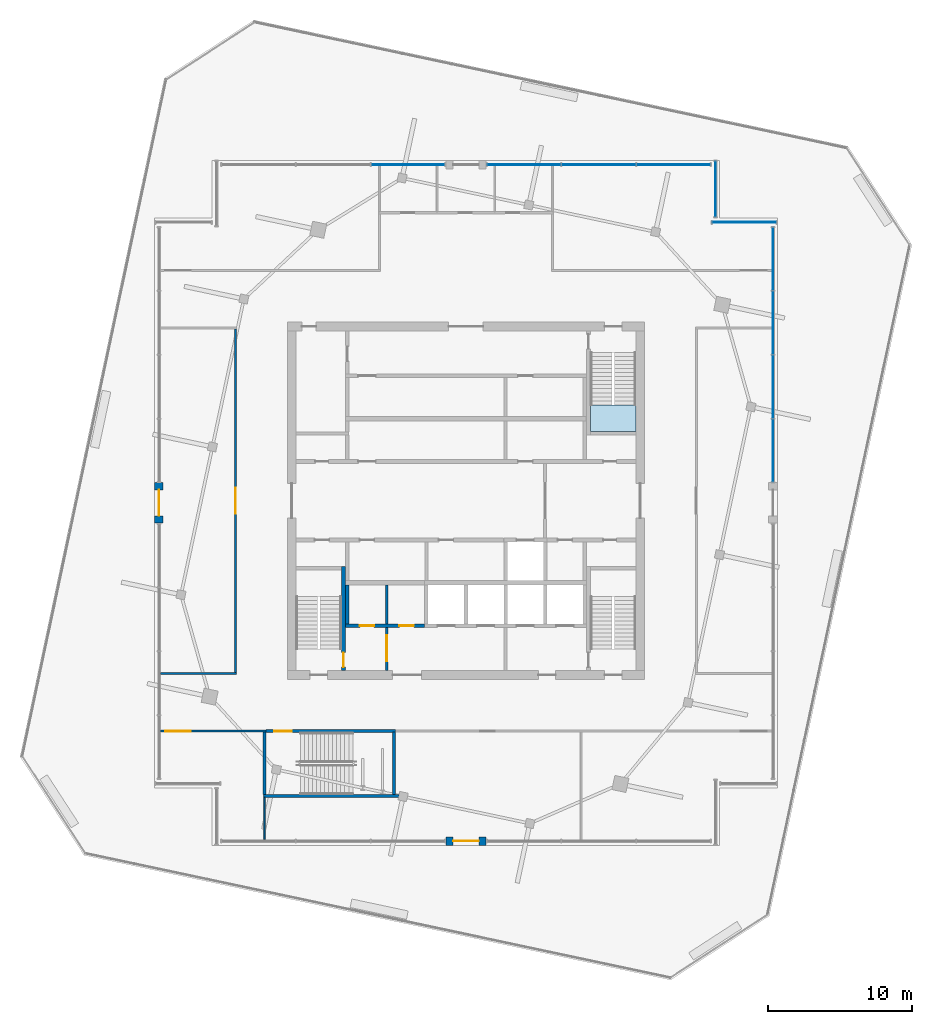
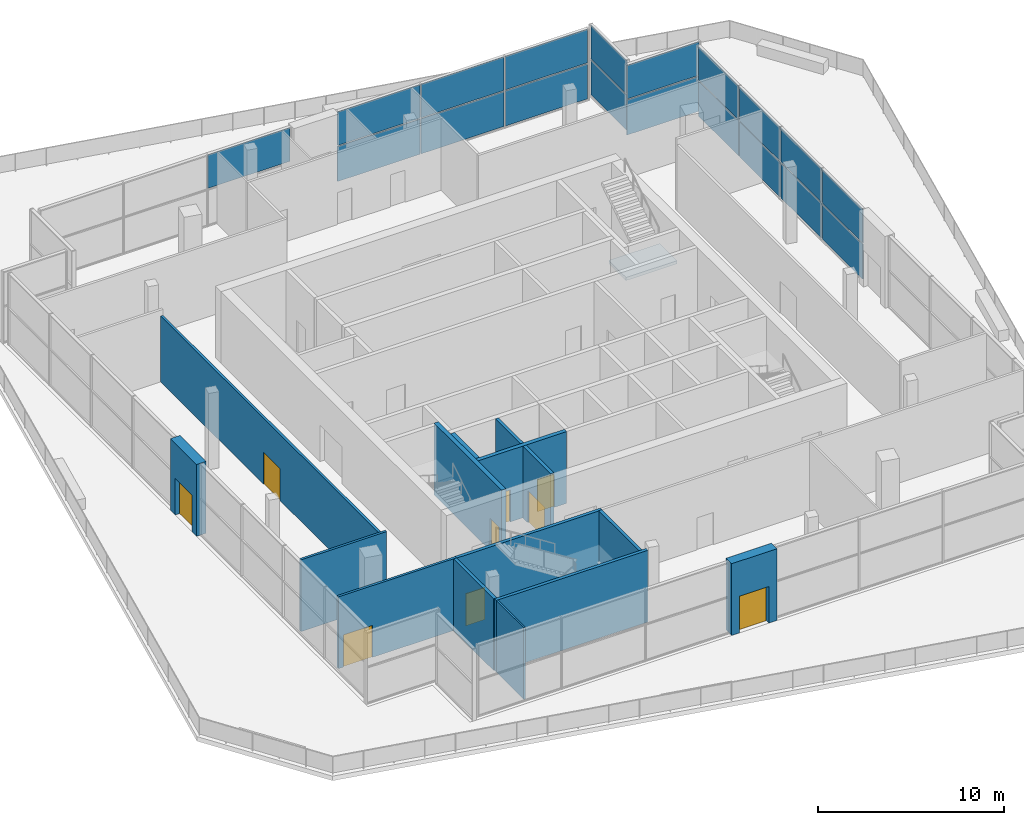
# One storey, part 7 of 14: 19 plates, 15 walls, 9 doors, 1 slab, 9 openings, 6 elements without a shape of their own.
"""IFC4 building model written with IfcOpenShell, lengths in metres."""

from ifc_helpers import new_model, si_unit, direction, frame, frame_2d, origin, origin_2d, place, context, subcontext, project, spatial, polyline, rectangle, outline, extrude, material, layer, layer_set, type_object, element, fill, aggregate, save


model = new_model("IFC4")

# Units and contexts
model_context = context("Model", 3, precision=1e-05, world=origin(), true_north=direction((0.0, 1.0)))
body_context = subcontext(model_context, "Body", "Model", "MODEL_VIEW")
ifc_project = project(units=[si_unit("LENGTHUNIT", "METRE"), si_unit("AREAUNIT", "SQUARE_METRE"), si_unit("VOLUMEUNIT", "CUBIC_METRE"), si_unit("PLANEANGLEUNIT", "RADIAN"), si_unit("MASSUNIT", "GRAM", prefix="KILO")], contexts=[model_context])

# Site, building, storey
site_placement = place(None, origin())
site = spatial("IfcSite", under=ifc_project, at=site_placement, CompositionType="ELEMENT")
building_placement = place(site_placement, origin())
building = spatial("IfcBuilding", under=site, at=building_placement, Name="Dilmun Exchange Tower", CompositionType="ELEMENT")
storey_placement = place(building_placement, frame((0.0, 0.0, 368.10009765625)))
storey = spatial("IfcBuildingStorey", under=building, at=storey_placement, Name="Crown L86", CompositionType="ELEMENT", Elevation=368.10009765625)

# Stair, slab
ifc_material_1 = material(Name="Concrete C40/50", Category="concrete")
stair_type = type_object("IfcStairType", Name="Exit stair 1500 half-turn", PredefinedType="HALF_TURN_STAIR", material=ifc_material_1)
stair_placement = place(storey_placement, origin())
stair = element("IfcStair", 1, at=stair_placement, inside=storey, type_object=stair_type, Name="Crown L86 Protected exit stair ST1", PredefinedType="HALF_TURN_STAIR")
ifc_layer_1 = layer(ifc_material_1, 0.199951171875)
ifc_layer_set_1 = layer_set([ifc_layer_1], Name="Concrete C40/50")
slab_type = type_object("IfcSlabType", Name="Exit stair landing 200", PredefinedType="LANDING", material=ifc_layer_set_1)
slab_placement = place(storey_placement, frame((0.0, 0.0, 2.2998046875)))
slab = element("IfcSlab", 2, at=slab_placement, type_object=slab_type, Name="ST1 landing 1", PredefinedType="LANDING", context=body_context, shape_type="SweptSolid", body=[
    extrude(outline(polyline([(8.64990234375, 6.659912109375), (8.64990234375, 4.800048828125), (11.800048828125, 4.800048828125), (11.800048828125, 6.659912109375), (8.64990234375, 6.659912109375)])), origin(), (0.0, 0.0, 1.0), 0.2001953125),
])
aggregate(stair, [slab])

# Curtain wall, plates
ifc_material_2 = material(Name="Anodised aluminium and clear glass", Category="aluminium")
curtain_wall_type = type_object("IfcCurtainWallType", Name="Observation lounge glazing", PredefinedType="NOTDEFINED", material=ifc_material_2)
curtain_wall_1_placement = place(storey_placement, origin())
curtain_wall_1 = element("IfcCurtainWall", 3, at=curtain_wall_1_placement, inside=storey, type_object=curtain_wall_type, Name="Observation lounge glazing run OL1", PredefinedType="NOTDEFINED")
ifc_material_3 = material(Name="Clear glass", Category="glass")
ifc_layer_2 = layer(ifc_material_3, 0.0439453125)
ifc_layer_set_2 = layer_set([ifc_layer_2], Name="Clear glass")
plate_type = type_object("IfcPlateType", Name="Observation lounge glazing glass panel 44", PredefinedType="CURTAIN_PANEL", material=ifc_layer_set_2)
plate_1_placement = place(storey_placement, frame((19.323486328125, 19.340087890625, 0.06982421875), z_axis=(0.0, 0.0, 1.0), x_axis=(-1.0, 0.0, 0.0)))
plate_1 = element("IfcPlate", 4, at=plate_1_placement, type_object=plate_type, Name="OL1 panel 1.1", PredefinedType="CURTAIN_PANEL", context=body_context, shape_type="SweptSolid", body=[
    extrude(rectangle(XDim=4.4599609375, YDim=0.0439453125, at=origin_2d()), origin(), (0.0, 0.0, 1.0), 2.294921875),
])
plate_2_placement = place(storey_placement, frame((19.323486328125, 19.340087890625, 2.43505859375), z_axis=(0.0, 0.0, 1.0), x_axis=(-1.0, 0.0, 0.0)))
plate_2 = element("IfcPlate", 5, at=plate_2_placement, type_object=plate_type, Name="OL1 panel 1.2", PredefinedType="CURTAIN_PANEL", context=body_context, shape_type="SweptSolid", body=[
    extrude(rectangle(XDim=4.4599609375, YDim=0.0439453125, at=origin_2d()), origin(), (0.0, 0.0, 1.0), 2.195068359375),
])
aggregate(curtain_wall_1, [plate_1, plate_2])

curtain_wall_2_placement = place(storey_placement, origin())
curtain_wall_2 = element("IfcCurtainWall", 6, at=curtain_wall_2_placement, inside=storey, type_object=curtain_wall_type, Name="Observation lounge glazing run OL2", PredefinedType="NOTDEFINED")
plate_3_placement = place(storey_placement, frame((17.323486328125, 21.64013671875, 0.06982421875), z_axis=(0.0, 0.0, 1.0), x_axis=(0.0, 1.0, 0.0)))
plate_3 = element("IfcPlate", 7, at=plate_3_placement, type_object=plate_type, Name="OL2 panel 1.1", PredefinedType="CURTAIN_PANEL", context=body_context, shape_type="SweptSolid", body=[
    extrude(rectangle(XDim=3.860107421875, YDim=0.0439453125, at=origin_2d()), origin(), (0.0, 0.0, 1.0), 2.294921875),
])
plate_4_placement = place(storey_placement, frame((17.323486328125, 21.64013671875, 2.43505859375), z_axis=(0.0, 0.0, 1.0), x_axis=(0.0, 1.0, 0.0)))
plate_4 = element("IfcPlate", 8, at=plate_4_placement, type_object=plate_type, Name="OL2 panel 1.2", PredefinedType="CURTAIN_PANEL", context=body_context, shape_type="SweptSolid", body=[
    extrude(rectangle(XDim=3.860107421875, YDim=0.0439453125, at=origin_2d()), origin(), (0.0, 0.0, 1.0), 2.195068359375),
])
aggregate(curtain_wall_2, [plate_3, plate_4])

curtain_wall_3_placement = place(storey_placement, origin())
curtain_wall_3 = element("IfcCurtainWall", 9, at=curtain_wall_3_placement, inside=storey, type_object=curtain_wall_type, Name="Observation lounge glazing run OL3.1", PredefinedType="NOTDEFINED")
plate_5_placement = place(storey_placement, frame((14.402099609375, 23.340087890625, 0.06982421875), z_axis=(0.0, 0.0, 1.0), x_axis=(-1.0, 0.0, 0.0)))
plate_5 = element("IfcPlate", 10, at=plate_5_placement, type_object=plate_type, Name="OL3.1 panel 1.1", PredefinedType="CURTAIN_PANEL", context=body_context, shape_type="SweptSolid", body=[
    extrude(rectangle(XDim=5.102783203125, YDim=0.0439453125, at=origin_2d()), origin(), (0.0, 0.0, 1.0), 2.294921875),
])
plate_6_placement = place(storey_placement, frame((14.402099609375, 23.340087890625, 2.43505859375), z_axis=(0.0, 0.0, 1.0), x_axis=(-1.0, 0.0, 0.0)))
plate_6 = element("IfcPlate", 11, at=plate_6_placement, type_object=plate_type, Name="OL3.1 panel 1.2", PredefinedType="CURTAIN_PANEL", context=body_context, shape_type="SweptSolid", body=[
    extrude(rectangle(XDim=5.102783203125, YDim=0.0439453125, at=origin_2d()), origin(), (0.0, 0.0, 1.0), 2.195068359375),
])
plate_7_placement = place(storey_placement, frame((9.211669921875, 23.340087890625, 0.06982421875), z_axis=(0.0, 0.0, 1.0), x_axis=(-1.0, 0.0, 0.0)))
plate_7 = element("IfcPlate", 12, at=plate_7_placement, type_object=plate_type, Name="OL3.1 panel 2.1", PredefinedType="CURTAIN_PANEL", context=body_context, shape_type="SweptSolid", body=[
    extrude(rectangle(XDim=5.137939453125, YDim=0.0439453125, at=origin_2d()), origin(), (0.0, 0.0, 1.0), 2.294921875),
])
plate_8_placement = place(storey_placement, frame((9.211669921875, 23.340087890625, 2.43505859375), z_axis=(0.0, 0.0, 1.0), x_axis=(-1.0, 0.0, 0.0)))
plate_8 = element("IfcPlate", 13, at=plate_8_placement, type_object=plate_type, Name="OL3.1 panel 2.2", PredefinedType="CURTAIN_PANEL", context=body_context, shape_type="SweptSolid", body=[
    extrude(rectangle(XDim=5.137939453125, YDim=0.0439453125, at=origin_2d()), origin(), (0.0, 0.0, 1.0), 2.195068359375),
])
plate_9_placement = place(storey_placement, frame((4.021484375, 23.340087890625, 0.06982421875), z_axis=(0.0, 0.0, 1.0), x_axis=(-1.0, 0.0, 0.0)))
plate_9 = element("IfcPlate", 14, at=plate_9_placement, type_object=plate_type, Name="OL3.1 panel 3.1", PredefinedType="CURTAIN_PANEL", context=body_context, shape_type="SweptSolid", body=[
    extrude(rectangle(XDim=5.102783203125, YDim=0.0439453125, at=origin_2d()), origin(), (0.0, 0.0, 1.0), 2.294921875),
])
plate_10_placement = place(storey_placement, frame((4.021484375, 23.340087890625, 2.43505859375), z_axis=(0.0, 0.0, 1.0), x_axis=(-1.0, 0.0, 0.0)))
plate_10 = element("IfcPlate", 15, at=plate_10_placement, type_object=plate_type, Name="OL3.1 panel 3.2", PredefinedType="CURTAIN_PANEL", context=body_context, shape_type="SweptSolid", body=[
    extrude(rectangle(XDim=5.102783203125, YDim=0.0439453125, at=origin_2d()), origin(), (0.0, 0.0, 1.0), 2.195068359375),
])
aggregate(curtain_wall_3, [plate_5, plate_6, plate_7, plate_8, plate_9, plate_10])

# Curtain wall, plate
curtain_wall_4_placement = place(storey_placement, origin())
curtain_wall_4 = element("IfcCurtainWall", 16, at=curtain_wall_4_placement, inside=storey, type_object=curtain_wall_type, Name="Observation lounge glazing run OL3.E", PredefinedType="NOTDEFINED")
plate_11_placement = place(storey_placement, frame((-4.021484375, 23.340087890625, 2.43505859375), z_axis=(0.0, 0.0, 1.0), x_axis=(-1.0, 0.0, 0.0)))
plate_11 = element("IfcPlate", 17, at=plate_11_placement, type_object=plate_type, Name="OL3.E panel 1.2", PredefinedType="CURTAIN_PANEL", context=body_context, shape_type="SweptSolid", body=[
    extrude(rectangle(XDim=5.102783203125, YDim=0.0439453125, at=origin_2d()), origin(), (0.0, 0.0, 1.0), 2.195068359375),
])
aggregate(curtain_wall_4, [plate_11])

# Curtain wall, plates
curtain_wall_5_placement = place(storey_placement, origin())
curtain_wall_5 = element("IfcCurtainWall", 18, at=curtain_wall_5_placement, inside=storey, type_object=curtain_wall_type, Name="Observation lounge glazing run OL12.E", PredefinedType="NOTDEFINED")
plate_12_placement = place(storey_placement, frame((21.323486328125, 3.493896484375, 0.06982421875), z_axis=(0.0, 0.0, 1.0), x_axis=(0.0, 1.0, 0.0)))
plate_12 = element("IfcPlate", 19, at=plate_12_placement, type_object=plate_type, Name="OL12.E panel 1.1", PredefinedType="CURTAIN_PANEL", context=body_context, shape_type="SweptSolid", body=[
    extrude(rectangle(XDim=4.341796875, YDim=0.0439453125, at=origin_2d()), origin(), (0.0, 0.0, 1.0), 2.294921875),
])
plate_13_placement = place(storey_placement, frame((21.323486328125, 3.493896484375, 2.43505859375), z_axis=(0.0, 0.0, 1.0), x_axis=(0.0, 1.0, 0.0)))
plate_13 = element("IfcPlate", 20, at=plate_13_placement, type_object=plate_type, Name="OL12.E panel 1.2", PredefinedType="CURTAIN_PANEL", context=body_context, shape_type="SweptSolid", body=[
    extrude(rectangle(XDim=4.341796875, YDim=0.0439453125, at=origin_2d()), origin(), (0.0, 0.0, 1.0), 2.195068359375),
])
plate_14_placement = place(storey_placement, frame((21.323486328125, 7.923095703125, 0.06982421875), z_axis=(0.0, 0.0, 1.0), x_axis=(0.0, 1.0, 0.0)))
plate_14 = element("IfcPlate", 21, at=plate_14_placement, type_object=plate_type, Name="OL12.E panel 2.1", PredefinedType="CURTAIN_PANEL", context=body_context, shape_type="SweptSolid", body=[
    extrude(rectangle(XDim=4.376708984375, YDim=0.0439453125, at=origin_2d()), origin(), (0.0, 0.0, 1.0), 2.294921875),
])
plate_15_placement = place(storey_placement, frame((21.323486328125, 7.923095703125, 2.43505859375), z_axis=(0.0, 0.0, 1.0), x_axis=(0.0, 1.0, 0.0)))
plate_15 = element("IfcPlate", 22, at=plate_15_placement, type_object=plate_type, Name="OL12.E panel 2.2", PredefinedType="CURTAIN_PANEL", context=body_context, shape_type="SweptSolid", body=[
    extrude(rectangle(XDim=4.376708984375, YDim=0.0439453125, at=origin_2d()), origin(), (0.0, 0.0, 1.0), 2.195068359375),
])
plate_16_placement = place(storey_placement, frame((21.323486328125, 12.3701171875, 0.06982421875), z_axis=(0.0, 0.0, 1.0), x_axis=(0.0, 1.0, 0.0)))
plate_16 = element("IfcPlate", 23, at=plate_16_placement, type_object=plate_type, Name="OL12.E panel 3.1", PredefinedType="CURTAIN_PANEL", context=body_context, shape_type="SweptSolid", body=[
    extrude(rectangle(XDim=4.376708984375, YDim=0.0439453125, at=origin_2d()), origin(), (0.0, 0.0, 1.0), 2.294921875),
])
plate_17_placement = place(storey_placement, frame((21.323486328125, 12.3701171875, 2.43505859375), z_axis=(0.0, 0.0, 1.0), x_axis=(0.0, 1.0, 0.0)))
plate_17 = element("IfcPlate", 24, at=plate_17_placement, type_object=plate_type, Name="OL12.E panel 3.2", PredefinedType="CURTAIN_PANEL", context=body_context, shape_type="SweptSolid", body=[
    extrude(rectangle(XDim=4.376708984375, YDim=0.0439453125, at=origin_2d()), origin(), (0.0, 0.0, 1.0), 2.195068359375),
])
plate_18_placement = place(storey_placement, frame((21.323486328125, 16.79931640625, 0.06982421875), z_axis=(0.0, 0.0, 1.0), x_axis=(0.0, 1.0, 0.0)))
plate_18 = element("IfcPlate", 25, at=plate_18_placement, type_object=plate_type, Name="OL12.E panel 4.1", PredefinedType="CURTAIN_PANEL", context=body_context, shape_type="SweptSolid", body=[
    extrude(rectangle(XDim=4.341796875, YDim=0.0439453125, at=origin_2d()), origin(), (0.0, 0.0, 1.0), 2.294921875),
])
plate_19_placement = place(storey_placement, frame((21.323486328125, 16.79931640625, 2.43505859375), z_axis=(0.0, 0.0, 1.0), x_axis=(0.0, 1.0, 0.0)))
plate_19 = element("IfcPlate", 26, at=plate_19_placement, type_object=plate_type, Name="OL12.E panel 4.2", PredefinedType="CURTAIN_PANEL", context=body_context, shape_type="SweptSolid", body=[
    extrude(rectangle(XDim=4.341796875, YDim=0.0439453125, at=origin_2d()), origin(), (0.0, 0.0, 1.0), 2.195068359375),
])
aggregate(curtain_wall_5, [plate_12, plate_13, plate_14, plate_15, plate_16, plate_17, plate_18, plate_19])

# Wall, opening, door
ifc_layer_3 = layer(ifc_material_1, 0.199951171875)
ifc_layer_set_3 = layer_set([ifc_layer_3], Name="Concrete C40/50")
wall_type_1 = type_object("IfcWallType", Name="Core partition wall 200", PredefinedType="PARTITIONING", material=ifc_layer_set_3)
wall_1_placement = place(storey_placement, frame((-5.5, -11.794921875, 0.0), z_axis=(0.0, 0.0, 1.0), x_axis=(0.0, 1.0, 0.0)))
wall_1 = element("IfcWall", 27, at=wall_1_placement, inside=storey, type_object=wall_type_1, Name="Crown L86 core partition wall 01", PredefinedType="PARTITIONING", context=body_context, shape_type="SweptSolid", body=[
    extrude(rectangle(XDim=2.989990234375, YDim=0.199951171875, at=frame_2d((1.4951171875, 0.0))), origin(), (0.0, 0.0, 1.0), 4.699951171875),
])
opening_1_placement = place(wall_1_placement, frame((0.657470703125, 0.0, 0.0)))
opening_1 = element("IfcOpeningElement", 28, at=opening_1_placement, cuts=wall_1, Name="Opening CD5", PredefinedType="OPENING", context=body_context, shape_type="SweptSolid", body=[
    extrude(rectangle(XDim=1.800048828125, YDim=2.10009765625, at=frame_2d((0.89990234375, 1.050048828125))), frame((0.0, 0.10986328125, 0.0), z_axis=(0.0, -1.0, 0.0), x_axis=(1.0, 0.0, 0.0)), (0.0, 0.0, 1.0), 0.219970703125),
])
ifc_material_4 = material(Name="Fire-rated steel door set", Category="steel")
door_type_1 = type_object("IfcDoorType", Name="Stair exit door 1800x2100", OperationType="SINGLE_SWING_LEFT", PredefinedType="DOOR", material=ifc_material_4)
door_1_placement = place(opening_1_placement, origin())
door_1 = element("IfcDoor", 29, at=door_1_placement, inside=storey, type_object=door_type_1, Name="Crown L86 door Service lobby east", OperationType="SINGLE_SWING_LEFT", OverallHeight=2.10009765625, OverallWidth=1.800048828125, PredefinedType="DOOR", context=body_context, shape_type="SweptSolid", body=[
    extrude(rectangle(XDim=1.800048828125, YDim=2.10009765625, at=frame_2d((0.89990234375, 1.050048828125))), frame((0.0, 0.02490234375, 0.0), z_axis=(0.0, -1.0, 0.0), x_axis=(1.0, 0.0, 0.0)), (0.0, 0.0, 1.0), 0.050048828125),
])
fill(opening_1, door_1)

# Wall
wall_2_placement = place(storey_placement, frame((-5.5, -8.544921875, 0.0), z_axis=(0.0, 0.0, 1.0), x_axis=(0.0, 1.0, 0.0)))
element("IfcWall", 30, at=wall_2_placement, inside=storey, type_object=wall_type_1, Name="Crown L86 core partition wall 05", PredefinedType="PARTITIONING", context=body_context, shape_type="SweptSolid", body=[
    extrude(rectangle(XDim=2.68994140625, YDim=0.199951171875, at=frame_2d((1.344970703125, 0.0))), origin(), (0.0, 0.0, 1.0), 4.699951171875),
])

# Wall, openings, doors
ifc_layer_4 = layer(ifc_material_1, 0.25)
ifc_layer_set_4 = layer_set([ifc_layer_4], Name="Concrete C40/50")
wall_type_2 = type_object("IfcWallType", Name="Core partition wall 250", PredefinedType="PARTITIONING", material=ifc_layer_set_4)
wall_3_placement = place(storey_placement, frame((-8.3701171875, -8.675048828125, 0.0), z_axis=(0.0, 0.0, 1.0), x_axis=(1.0, 0.0, 0.0)))
wall_3 = element("IfcWall", 31, at=wall_3_placement, inside=storey, type_object=wall_type_2, Name="Crown L86 core partition wall 03", PredefinedType="PARTITIONING", context=body_context, shape_type="SweptSolid", body=[
    extrude(rectangle(XDim=5.490234375, YDim=0.25, at=frame_2d((2.7451171875, 0.0))), origin(), (0.0, 0.0, 1.0), 4.699951171875),
])
opening_2_placement = place(wall_3_placement, frame((0.9951171875, 0.0, 0.0)))
opening_2 = element("IfcOpeningElement", 32, at=opening_2_placement, cuts=wall_3, Name="Opening CD4", PredefinedType="OPENING", context=body_context, shape_type="SweptSolid", body=[
    extrude(rectangle(XDim=1.0, YDim=2.10009765625, at=frame_2d((0.5, 1.050048828125))), frame((0.0, 0.135009765625, 0.0), z_axis=(0.0, -1.0, 0.0), x_axis=(1.0, 0.0, 0.0)), (0.0, 0.0, 1.0), 0.27001953125),
])
opening_3_placement = place(wall_3_placement, frame((3.7451171875, 0.0, 0.0)))
opening_3 = element("IfcOpeningElement", 33, at=opening_3_placement, cuts=wall_3, Name="Opening CD4", PredefinedType="OPENING", context=body_context, shape_type="SweptSolid", body=[
    extrude(rectangle(XDim=1.0, YDim=2.10009765625, at=frame_2d((0.5, 1.050048828125))), frame((0.0, 0.135009765625, 0.0), z_axis=(0.0, -1.0, 0.0), x_axis=(1.0, 0.0, 0.0)), (0.0, 0.0, 1.0), 0.27001953125),
])
door_type_2 = type_object("IfcDoorType", Name="Core room door 1000x2100", OperationType="SINGLE_SWING_LEFT", PredefinedType="DOOR", material=ifc_material_4)
door_2_placement = place(opening_2_placement, origin())
door_2 = element("IfcDoor", 34, at=door_2_placement, inside=storey, type_object=door_type_2, Name="Crown L86 door Male WC", OperationType="SINGLE_SWING_LEFT", OverallHeight=2.10009765625, OverallWidth=1.0, PredefinedType="DOOR", context=body_context, shape_type="SweptSolid", body=[
    extrude(rectangle(XDim=1.0, YDim=2.10009765625, at=frame_2d((0.5, 1.050048828125))), frame((0.0, 0.02490234375, 0.0), z_axis=(0.0, -1.0, 0.0), x_axis=(1.0, 0.0, 0.0)), (0.0, 0.0, 1.0), 0.050048828125),
])
fill(opening_2, door_2)
door_3_placement = place(opening_3_placement, origin())
door_3 = element("IfcDoor", 35, at=door_3_placement, inside=storey, type_object=door_type_2, Name="Crown L86 door Female WC", OperationType="SINGLE_SWING_LEFT", OverallHeight=2.10009765625, OverallWidth=1.0, PredefinedType="DOOR", context=body_context, shape_type="SweptSolid", body=[
    extrude(rectangle(XDim=1.0, YDim=2.10009765625, at=frame_2d((0.5, 1.050048828125))), frame((0.0, 0.02490234375, 0.0), z_axis=(0.0, -1.0, 0.0), x_axis=(1.0, 0.0, 0.0)), (0.0, 0.0, 1.0), 0.050048828125),
])
fill(opening_3, door_3)

# Wall
wall_4_placement = place(storey_placement, frame((-8.25, -8.544921875, 0.0), z_axis=(0.0, 0.0, 1.0), x_axis=(0.0, 1.0, 0.0)))
element("IfcWall", 36, at=wall_4_placement, inside=storey, type_object=wall_type_2, Name="Crown L86 core partition wall 04", PredefinedType="PARTITIONING", context=body_context, shape_type="SweptSolid", body=[
    extrude(rectangle(XDim=2.68994140625, YDim=0.25, at=frame_2d((1.344970703125, 0.0))), origin(), (0.0, 0.0, 1.0), 4.699951171875),
])

# Wall, opening, door
ifc_material_5 = material(Name="Fire partition EI 60 150 gypsum")
ifc_layer_5 = layer(ifc_material_5, 0.14990234375)
ifc_layer_set_5 = layer_set([ifc_layer_5], Name="Fire partition EI 60 150 gypsum")
wall_type_3 = type_object("IfcWallType", Name="Fire partition EI 60 150 gypsum", PredefinedType="PARTITIONING", material=ifc_layer_set_5)
wall_5_placement = place(storey_placement, frame((-21.223388671875, -16.0, 0.0), z_axis=(0.0, 0.0, 1.0), x_axis=(1.0, 0.0, 0.0)))
wall_5 = element("IfcWall", 37, at=wall_5_placement, inside=storey, type_object=wall_type_3, Name="Crown L86 partition", PredefinedType="PARTITIONING", context=body_context, shape_type="SweptSolid", body=[
    extrude(rectangle(XDim=7.323486328125, YDim=0.14990234375, at=frame_2d((3.66162109375, 0.0))), origin(), (0.0, 0.0, 1.0), 4.699951171875),
])
opening_4_placement = place(wall_5_placement, frame((0.323486328125, 0.0, 0.0)))
opening_4 = element("IfcOpeningElement", 38, at=opening_4_placement, cuts=wall_5, Name="Opening CrownL86-D007", PredefinedType="OPENING", context=body_context, shape_type="SweptSolid", body=[
    extrude(rectangle(XDim=1.800048828125, YDim=2.10009765625, at=frame_2d((0.89990234375, 1.050048828125))), frame((0.0, 0.0849609375, 0.0), z_axis=(0.0, -1.0, 0.0), x_axis=(1.0, 0.0, 0.0)), (0.0, 0.0, 1.0), 0.169921875),
])
ifc_material_6 = material(Name="Fire door FD60 double 1800 x 2100")
door_type_3 = type_object("IfcDoorType", Name="Fire door FD60 double 1800 x 2100", OperationType="DOUBLE_DOOR_SINGLE_SWING", PredefinedType="DOOR", material=ifc_material_6)
door_4_placement = place(opening_4_placement, origin())
door_4 = element("IfcDoor", 39, at=door_4_placement, inside=storey, type_object=door_type_3, Name="Crown L86 door CrownL86-D007", OperationType="DOUBLE_DOOR_SINGLE_SWING", OverallHeight=2.10009765625, OverallWidth=1.800048828125, PredefinedType="DOOR", context=body_context, shape_type="SweptSolid", body=[
    extrude(rectangle(XDim=1.800048828125, YDim=2.10009765625, at=frame_2d((0.89990234375, 1.050048828125))), frame((0.0, 0.02490234375, 0.0), z_axis=(0.0, -1.0, 0.0), x_axis=(1.0, 0.0, 0.0)), (0.0, 0.0, 1.0), 0.050048828125),
])
fill(opening_4, door_4)

# Wall
wall_6_placement = place(storey_placement, frame((-21.223388671875, -12.0, 0.0), z_axis=(0.0, 0.0, 1.0), x_axis=(1.0, 0.0, 0.0)))
element("IfcWall", 40, at=wall_6_placement, inside=storey, type_object=wall_type_3, Name="Crown L86 partition", PredefinedType="PARTITIONING", context=body_context, shape_type="SweptSolid", body=[
    extrude(rectangle(XDim=5.29833984375, YDim=0.14990234375, at=frame_2d((2.649169921875, 0.0))), origin(), (0.0, 0.0, 1.0), 4.699951171875),
])

# Wall, opening, door
wall_7_placement = place(storey_placement, frame((-16.0, -11.925048828125, 0.0), z_axis=(0.0, 0.0, 1.0), x_axis=(0.0, 1.0, 0.0)))
wall_7 = element("IfcWall", 41, at=wall_7_placement, inside=storey, type_object=wall_type_3, Name="Crown L86 partition", PredefinedType="PARTITIONING", context=body_context, shape_type="SweptSolid", body=[
    extrude(rectangle(XDim=23.85009765625, YDim=0.14990234375, at=frame_2d((11.925048828125, 0.0))), origin(), (0.0, 0.0, 1.0), 4.31982421875),
])
opening_5_placement = place(wall_7_placement, frame((11.02490234375, 0.0, 0.0)))
opening_5 = element("IfcOpeningElement", 42, at=opening_5_placement, cuts=wall_7, Name="Opening CrownL86-D010", PredefinedType="OPENING", context=body_context, shape_type="SweptSolid", body=[
    extrude(rectangle(XDim=1.800048828125, YDim=2.10009765625, at=frame_2d((0.89990234375, 1.050048828125))), frame((0.0, 0.0849609375, 0.0), z_axis=(0.0, -1.0, 0.0), x_axis=(1.0, 0.0, 0.0)), (0.0, 0.0, 1.0), 0.169921875),
])
door_5_placement = place(opening_5_placement, origin())
door_5 = element("IfcDoor", 43, at=door_5_placement, inside=storey, type_object=door_type_3, Name="Crown L86 door CrownL86-D010", OperationType="DOUBLE_DOOR_SINGLE_SWING", OverallHeight=2.10009765625, OverallWidth=1.800048828125, PredefinedType="DOOR", context=body_context, shape_type="SweptSolid", body=[
    extrude(rectangle(XDim=1.800048828125, YDim=2.10009765625, at=frame_2d((0.89990234375, 1.050048828125))), frame((0.0, 0.02490234375, 0.0), z_axis=(0.0, -1.0, 0.0), x_axis=(1.0, 0.0, 0.0)), (0.0, 0.0, 1.0), 0.050048828125),
])
fill(opening_5, door_5)

# Wall
ifc_material_7 = material(Name="Fire wall EI 120 200 blockwork", Category="masonry")
ifc_layer_6 = layer(ifc_material_7, 0.199951171875)
ifc_layer_set_6 = layer_set([ifc_layer_6], Name="Fire wall EI 120 200 blockwork")
wall_type_4 = type_object("IfcWallType", Name="Fire wall EI 120 200 blockwork", PredefinedType="PARTITIONING", material=ifc_layer_set_6)
wall_8_placement = place(storey_placement, frame((-14.050048828125, -20.5, 0.0), z_axis=(0.0, 0.0, 1.0), x_axis=(1.0, 0.0, 0.0)))
element("IfcWall", 44, at=wall_8_placement, inside=storey, type_object=wall_type_4, Name="Crown L86 stair wall", PredefinedType="PARTITIONING", context=body_context, shape_type="SweptSolid", body=[
    extrude(rectangle(XDim=9.384033203125, YDim=0.199951171875, at=frame_2d((4.69189453125, 0.0))), origin(), (0.0, 0.0, 1.0), 4.699951171875),
])

# Wall, opening, door
wall_9_placement = place(storey_placement, frame((-13.89990234375, -16.0, 0.0), z_axis=(0.0, 0.0, 1.0), x_axis=(1.0, 0.0, 0.0)))
wall_9 = element("IfcWall", 45, at=wall_9_placement, inside=storey, type_object=wall_type_4, Name="Crown L86 stair wall", PredefinedType="PARTITIONING", context=body_context, shape_type="SweptSolid", body=[
    extrude(rectangle(XDim=9.0, YDim=0.199951171875, at=frame_2d((4.5, 0.0))), origin(), (0.0, 0.0, 1.0), 4.699951171875),
])
opening_6_placement = place(wall_9_placement, frame((0.60009765625, 0.0, 0.0)))
opening_6 = element("IfcOpeningElement", 46, at=opening_6_placement, cuts=wall_9, Name="Opening CrownL86-D001", PredefinedType="OPENING", context=body_context, shape_type="SweptSolid", body=[
    extrude(rectangle(XDim=1.199951171875, YDim=2.10009765625, at=frame_2d((0.60009765625, 1.050048828125))), frame((0.0, 0.10986328125, 0.0), z_axis=(0.0, -1.0, 0.0), x_axis=(1.0, 0.0, 0.0)), (0.0, 0.0, 1.0), 0.219970703125),
])
ifc_material_8 = material(Name="Stair door FD90 1200 x 2100")
door_type_4 = type_object("IfcDoorType", Name="Stair door FD90 1200 x 2100", OperationType="SINGLE_SWING_LEFT", PredefinedType="DOOR", material=ifc_material_8)
door_6_placement = place(opening_6_placement, frame((1.199951171875, 0.0, 0.0), z_axis=(0.0, 0.0, 1.0), x_axis=(-1.0, 0.0, 0.0)))
door_6 = element("IfcDoor", 47, at=door_6_placement, inside=storey, type_object=door_type_4, Name="Crown L86 door CrownL86-D001", OperationType="SINGLE_SWING_LEFT", OverallHeight=2.10009765625, OverallWidth=1.199951171875, PredefinedType="DOOR", context=body_context, shape_type="SweptSolid", body=[
    extrude(rectangle(XDim=1.199951171875, YDim=2.10009765625, at=frame_2d((0.60009765625, 1.050048828125))), frame((0.0, 0.02490234375, 0.0), z_axis=(0.0, -1.0, 0.0), x_axis=(1.0, 0.0, 0.0)), (0.0, 0.0, 1.0), 0.050048828125),
])
fill(opening_6, door_6)

# Walls
for number, where, z_axis, x_axis, name in (
    (48, (-14.0, -20.39990234375, 0.0), (0.0, 0.0, 1.0), (0.0, 1.0, 0.0), "Crown L86 stair wall"),
    (49, (-5.0, -20.39990234375, 0.0), (0.0, 0.0, 1.0), (0.0, 1.0, 0.0), "Crown L86 stair wall"),
):
    element("IfcWall", number, at=place(storey_placement, frame(where, z_axis=z_axis, x_axis=x_axis)), inside=storey, type_object=wall_type_4, Name=name, PredefinedType="PARTITIONING", context=body_context, shape_type="SweptSolid", body=[
        extrude(rectangle(XDim=4.324951171875, YDim=0.199951171875, at=frame_2d((2.16259765625, 0.0))), origin(), (0.0, 0.0, 1.0), 4.699951171875),
    ])
ifc_material_9 = material(Name="Partition 100 gypsum")
ifc_layer_7 = layer(ifc_material_9, 0.10009765625)
ifc_layer_set_7 = layer_set([ifc_layer_7], Name="Partition 100 gypsum")
wall_type_5 = type_object("IfcWallType", Name="Partition 100 gypsum", PredefinedType="PARTITIONING", material=ifc_layer_set_7)
wall_10_placement = place(storey_placement, frame((-14.0, -23.5341796875, 0.0), z_axis=(0.0, 0.0, 1.0), x_axis=(0.0, 1.0, 0.0)))
element("IfcWall", 50, at=wall_10_placement, inside=storey, type_object=wall_type_5, Name="Crown L86 partition", PredefinedType="PARTITIONING", context=body_context, shape_type="SweptSolid", body=[
    extrude(rectangle(XDim=2.93408203125, YDim=0.10009765625, at=frame_2d((1.467041015625, 0.0))), origin(), (0.0, 0.0, 1.0), 4.699951171875),
])

# Wall, opening, door
ifc_material_10 = material(Name="Precast concrete C50/60", Category="concrete")
ifc_layer_8 = layer(ifc_material_10, 0.60009765625)
ifc_layer_set_8 = layer_set([ifc_layer_8], Name="Precast concrete C50/60")
wall_type_6 = type_object("IfcWallType", Name="Precast stone-clad wall 600", PredefinedType="STANDARD", material=ifc_layer_set_8)
wall_11_placement = place(storey_placement, frame((-21.323486328125, -1.547119140625, 0.0), z_axis=(0.0, 0.0, 1.0), x_axis=(0.0, 1.0, 0.0)))
wall_11 = element("IfcWall", 51, at=wall_11_placement, inside=storey, type_object=wall_type_6, Name="Facade wall Crown L86-05-D0", PredefinedType="STANDARD", context=body_context, shape_type="SweptSolid", body=[
    extrude(rectangle(XDim=2.800048828125, YDim=0.60009765625, at=frame_2d((1.39990234375, 0.0))), origin(), (0.0, 0.0, 1.0), 4.699951171875),
])
opening_7_placement = place(wall_11_placement, frame((0.5, 0.0, 0.0)))
opening_7 = element("IfcOpeningElement", 52, at=opening_7_placement, cuts=wall_11, Name="Opening DD1", PredefinedType="OPENING", context=body_context, shape_type="SweptSolid", body=[
    extrude(rectangle(XDim=1.800048828125, YDim=2.39990234375, at=frame_2d((0.89990234375, 1.199951171875))), frame((0.0, 0.31005859375, 0.0), z_axis=(0.0, -1.0, 0.0), x_axis=(1.0, 0.0, 0.0)), (0.0, 0.0, 1.0), 0.6201171875),
])
ifc_material_11 = material(Name="Clear low-emissivity glass in aluminium frame", Category="aluminium")
door_type_5 = type_object("IfcDoorType", Name="Glazed deck door pair 1800 x 2400", OperationType="DOUBLE_DOOR_SINGLE_SWING", PredefinedType="DOOR", material=ifc_material_11)
door_7_placement = place(opening_7_placement, origin())
door_7 = element("IfcDoor", 53, at=door_7_placement, inside=storey, type_object=door_type_5, Name="Deck door 6.1", OperationType="DOUBLE_DOOR_SINGLE_SWING", OverallHeight=2.39990234375, OverallWidth=1.800048828125, PredefinedType="DOOR", context=body_context, shape_type="SweptSolid", body=[
    extrude(rectangle(XDim=1.800048828125, YDim=2.39990234375, at=frame_2d((0.89990234375, 1.199951171875))), frame((0.0, 0.02490234375, 0.0), z_axis=(0.0, -1.0, 0.0), x_axis=(1.0, 0.0, 0.0)), (0.0, 0.0, 1.0), 0.050048828125),
])
fill(opening_7, door_7)

wall_12_placement = place(storey_placement, frame((1.39990234375, -23.63427734375, 0.0), z_axis=(0.0, 0.0, 1.0), x_axis=(-1.0, 0.0, 0.0)))
wall_12 = element("IfcWall", 54, at=wall_12_placement, inside=storey, type_object=wall_type_6, Name="Facade wall Crown L86-08-D0", PredefinedType="STANDARD", context=body_context, shape_type="SweptSolid", body=[
    extrude(rectangle(XDim=2.7998046875, YDim=0.60009765625, at=frame_2d((1.39990234375, 0.0))), origin(), (0.0, 0.0, 1.0), 4.699951171875),
])
opening_8_placement = place(wall_12_placement, frame((0.5, 0.0, 0.0)))
opening_8 = element("IfcOpeningElement", 55, at=opening_8_placement, cuts=wall_12, Name="Opening DD1", PredefinedType="OPENING", context=body_context, shape_type="SweptSolid", body=[
    extrude(rectangle(XDim=1.800048828125, YDim=2.39990234375, at=frame_2d((0.89990234375, 1.199951171875))), frame((0.0, 0.31005859375, 0.0), z_axis=(0.0, -1.0, 0.0), x_axis=(1.0, 0.0, 0.0)), (0.0, 0.0, 1.0), 0.6201171875),
])
door_8_placement = place(opening_8_placement, origin())
door_8 = element("IfcDoor", 56, at=door_8_placement, inside=storey, type_object=door_type_5, Name="Deck door 9.1", OperationType="DOUBLE_DOOR_SINGLE_SWING", OverallHeight=2.39990234375, OverallWidth=1.800048828125, PredefinedType="DOOR", context=body_context, shape_type="SweptSolid", body=[
    extrude(rectangle(XDim=1.800048828125, YDim=2.39990234375, at=frame_2d((0.89990234375, 1.199951171875))), frame((0.0, 0.02490234375, 0.0), z_axis=(0.0, -1.0, 0.0), x_axis=(1.0, 0.0, 0.0)), (0.0, 0.0, 1.0), 0.050048828125),
])
fill(opening_8, door_8)

ifc_layer_9 = layer(ifc_material_1, 0.27490234375)
ifc_layer_set_9 = layer_set([ifc_layer_9], Name="Concrete C40/50")
wall_type_7 = type_object("IfcWallType", Name="Stair wall 275", PredefinedType="SOLIDWALL", material=ifc_layer_set_9)
wall_13_placement = place(storey_placement, frame((-8.512451171875, -4.550048828125, 0.0), z_axis=(0.0, 0.0, 1.0), x_axis=(0.0, -1.0, 0.0)))
wall_13 = element("IfcWall", 57, at=wall_13_placement, inside=storey, type_object=wall_type_7, Name="Crown L86 ST2 wall to lift block", PredefinedType="SOLIDWALL", context=body_context, shape_type="SweptSolid", body=[
    extrude(rectangle(XDim=7.25, YDim=0.27490234375, at=frame_2d((3.625, 0.0))), origin(), (0.0, 0.0, 1.0), 4.699951171875),
])
opening_9_placement = place(wall_13_placement, frame((6.0, 0.0, 0.0)))
opening_9 = element("IfcOpeningElement", 58, at=opening_9_placement, cuts=wall_13, Name="Opening CD4", PredefinedType="OPENING", context=body_context, shape_type="SweptSolid", body=[
    extrude(rectangle(XDim=1.0, YDim=2.10009765625, at=frame_2d((0.5, 1.050048828125))), frame((0.0, 0.1474609375, 0.0), z_axis=(0.0, -1.0, 0.0), x_axis=(1.0, 0.0, 0.0)), (0.0, 0.0, 1.0), 0.294921875),
])
door_9_placement = place(opening_9_placement, origin())
door_9 = element("IfcDoor", 59, at=door_9_placement, inside=storey, type_object=door_type_2, Name="Crown L86 door ST2 from lobby", OperationType="SINGLE_SWING_LEFT", OverallHeight=2.10009765625, OverallWidth=1.0, PredefinedType="DOOR", context=body_context, shape_type="SweptSolid", body=[
    extrude(rectangle(XDim=1.0, YDim=2.10009765625, at=frame_2d((0.5, 1.050048828125))), frame((0.0, 0.02490234375, 0.0), z_axis=(0.0, -1.0, 0.0), x_axis=(1.0, 0.0, 0.0)), (0.0, 0.0, 1.0), 0.050048828125),
])
fill(opening_9, door_9)

save(model, "model.ifc")
